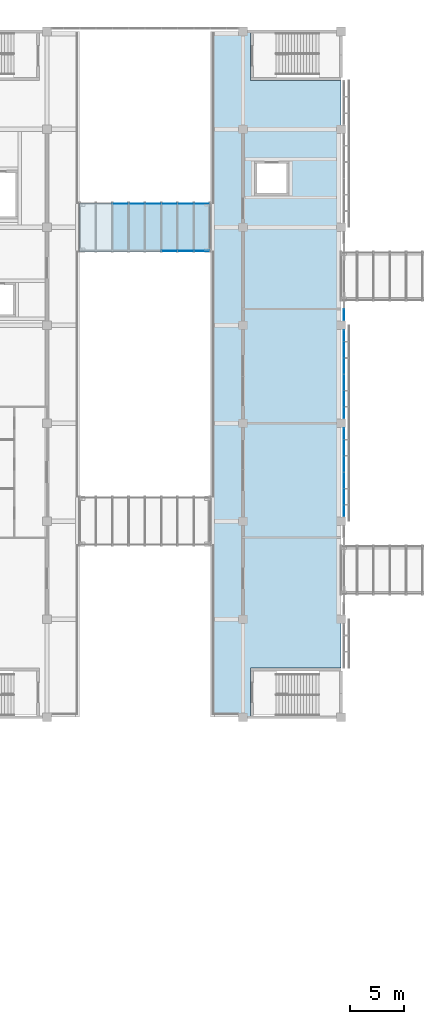
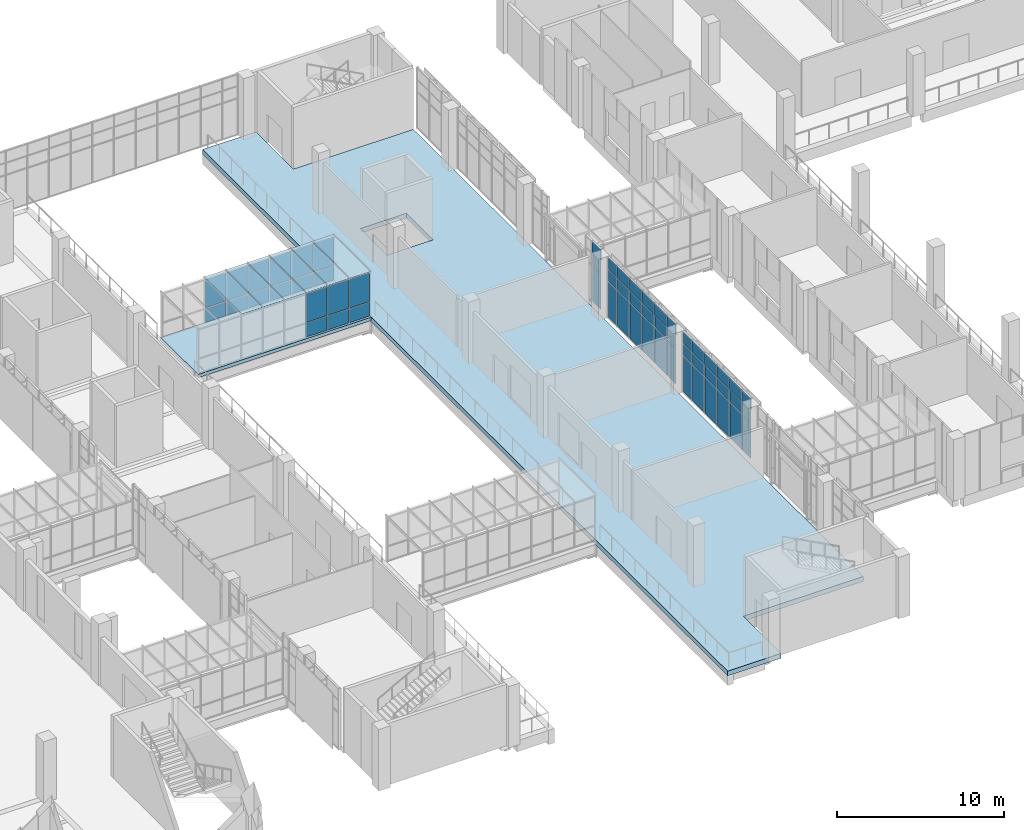
# One storey, part 47 of 88: 63 plates, 2 slabs, 6 elements without a shape of their own.
"""IFC4 building model written with IfcOpenShell, lengths in metres."""

from ifc_helpers import new_model, si_unit, direction, frame, origin, origin_2d, place, context, subcontext, project, spatial, polyline, rectangle, outline, extrude, material, layer, layer_set, type_object, element, aggregate, save


model = new_model("IFC4")

# Units and contexts
model_context = context("Model", 3, precision=1e-05, world=origin(), true_north=direction((0.0, 1.0)))
body_context = subcontext(model_context, "Body", "Model", "MODEL_VIEW")
ifc_project = project(units=[si_unit("LENGTHUNIT", "METRE"), si_unit("AREAUNIT", "SQUARE_METRE"), si_unit("VOLUMEUNIT", "CUBIC_METRE"), si_unit("PLANEANGLEUNIT", "RADIAN"), si_unit("MASSUNIT", "GRAM", prefix="KILO")], contexts=[model_context])

# Site, building, storey
site_placement = place(None, origin())
site = spatial("IfcSite", under=ifc_project, at=site_placement, CompositionType="ELEMENT")
building_placement = place(site_placement, origin())
building = spatial("IfcBuilding", under=site, at=building_placement, Name="Guidao Yard Department Store", CompositionType="ELEMENT")
storey_placement = place(building_placement, frame((0.0, 0.0, 6.0)))
storey = spatial("IfcBuildingStorey", under=building, at=storey_placement, Name="L01", CompositionType="ELEMENT", Elevation=6.0)

# Slab
ifc_material_1 = material(Name="Concrete C35", Category="concrete")
ifc_layer_1 = layer(ifc_material_1, 0.25)
ifc_layer_set_1 = layer_set([ifc_layer_1], Name="Bridge deck slab 250 C35")
slab_type_1 = type_object("IfcSlabType", Name="Bridge deck slab 250 C35", PredefinedType="FLOOR", material=ifc_layer_set_1)
slab_1_placement = place(storey_placement, frame((0.0, 0.0, -0.25)))
element("IfcSlab", 1, at=slab_1_placement, inside=storey, type_object=slab_type_1, Name="Slab BR10", PredefinedType="FLOOR", context=body_context, shape_type="SweptSolid", body=[
    extrude(outline(polyline([(95.985107421875, 87.75), (84.0, 87.75), (84.0, 92.25), (95.985107421875, 92.25), (95.985107421875, 87.75)])), origin(), (0.0, 0.0, 1.0), 0.25),
])

# Curtain wall, plates
ifc_material_2 = material(Name="Aluminium and glass", Category="aluminium")
ifc_layer_2 = layer(ifc_material_2, 0.159912109375)
ifc_layer_set_2 = layer_set([ifc_layer_2], Name="Bridge glazing CW5 1500 module")
curtain_wall_type_1 = type_object("IfcCurtainWallType", Name="Bridge glazing CW5 1500 module", PredefinedType="NOTDEFINED", material=ifc_layer_set_2)
curtain_wall_1_placement = place(storey_placement, origin())
curtain_wall_1 = element("IfcCurtainWall", 2, at=curtain_wall_1_placement, inside=storey, type_object=curtain_wall_type_1, Name="Bridge roof glazing BR10", PredefinedType="NOTDEFINED")
ifc_material_3 = material(Name="Laminated glass", Category="glass")
ifc_layer_3 = layer(ifc_material_3, 0.017578125)
ifc_layer_set_3 = layer_set([ifc_layer_3], Name="Bridge roof glass BG1 laminated 8+8 fritted")
plate_type_1 = type_object("IfcPlateType", Name="Bridge roof glass BG1 laminated 8+8 fritted", PredefinedType="CURTAIN_PANEL", material=ifc_layer_set_3)
plate_1_placement = place(storey_placement, frame((87.75, 90.0, 3.34130859375), z_axis=(0.0, 0.0, 1.0), x_axis=(1.0, 0.0, 0.0)))
plate_1 = element("IfcPlate", 3, at=plate_1_placement, type_object=plate_type_1, Name="Bridge roof glass BR10", PredefinedType="CURTAIN_PANEL", context=body_context, shape_type="SweptSolid", body=[
    extrude(rectangle(XDim=1.43994140625, YDim=4.5, at=origin_2d()), origin(), (0.0, 0.0, 1.0), 0.017578125),
])
plate_2_placement = place(storey_placement, frame((89.25, 90.0, 3.34130859375), z_axis=(0.0, 0.0, 1.0), x_axis=(1.0, 0.0, 0.0)))
plate_2 = element("IfcPlate", 4, at=plate_2_placement, type_object=plate_type_1, Name="Bridge roof glass BR10", PredefinedType="CURTAIN_PANEL", context=body_context, shape_type="SweptSolid", body=[
    extrude(rectangle(XDim=1.43994140625, YDim=4.5, at=origin_2d()), origin(), (0.0, 0.0, 1.0), 0.017578125),
])
plate_3_placement = place(storey_placement, frame((90.75, 90.0, 3.34130859375), z_axis=(0.0, 0.0, 1.0), x_axis=(1.0, 0.0, 0.0)))
plate_3 = element("IfcPlate", 5, at=plate_3_placement, type_object=plate_type_1, Name="Bridge roof glass BR10", PredefinedType="CURTAIN_PANEL", context=body_context, shape_type="SweptSolid", body=[
    extrude(rectangle(XDim=1.43994140625, YDim=4.5, at=origin_2d()), origin(), (0.0, 0.0, 1.0), 0.017578125),
])
plate_4_placement = place(storey_placement, frame((92.25, 90.0, 3.34130859375), z_axis=(0.0, 0.0, 1.0), x_axis=(1.0, 0.0, 0.0)))
plate_4 = element("IfcPlate", 6, at=plate_4_placement, type_object=plate_type_1, Name="Bridge roof glass BR10", PredefinedType="CURTAIN_PANEL", context=body_context, shape_type="SweptSolid", body=[
    extrude(rectangle(XDim=1.43994140625, YDim=4.5, at=origin_2d()), origin(), (0.0, 0.0, 1.0), 0.017578125),
])
plate_5_placement = place(storey_placement, frame((93.75, 90.0, 3.34130859375), z_axis=(0.0, 0.0, 1.0), x_axis=(1.0, 0.0, 0.0)))
plate_5 = element("IfcPlate", 7, at=plate_5_placement, type_object=plate_type_1, Name="Bridge roof glass BR10", PredefinedType="CURTAIN_PANEL", context=body_context, shape_type="SweptSolid", body=[
    extrude(rectangle(XDim=1.43994140625, YDim=4.5, at=origin_2d()), origin(), (0.0, 0.0, 1.0), 0.017578125),
])
plate_6_placement = place(storey_placement, frame((95.242431640625, 90.0, 3.34130859375), z_axis=(0.0, 0.0, 1.0), x_axis=(1.0, 0.0, 0.0)))
plate_6 = element("IfcPlate", 8, at=plate_6_placement, type_object=plate_type_1, Name="Bridge roof glass BR10", PredefinedType="CURTAIN_PANEL", context=body_context, shape_type="SweptSolid", body=[
    extrude(rectangle(XDim=1.425048828125, YDim=4.5, at=origin_2d()), origin(), (0.0, 0.0, 1.0), 0.017578125),
])
aggregate(curtain_wall_1, [plate_1, plate_2, plate_3, plate_4, plate_5, plate_6])

# Slab
ifc_material_4 = material(Name="Concrete C35", Category="concrete")
ifc_layer_4 = layer(ifc_material_4, 0.35009765625)
ifc_layer_set_4 = layer_set([ifc_layer_4], Name="Gallery floor slab 350 C35")
slab_type_2 = type_object("IfcSlabType", Name="Gallery floor slab 350 C35", PredefinedType="FLOOR", material=ifc_layer_set_4)
slab_2_placement = place(storey_placement, frame((0.0, 0.0, -0.35009765625)))
element("IfcSlab", 9, at=slab_2_placement, inside=storey, type_object=slab_type_2, Name="Slab L01-E", PredefinedType="FLOOR", context=body_context, shape_type="SweptSolid", body=[
    extrude(outline(polyline([(99.699951171875, 49.5), (99.699951171875, 45.0), (99.0, 45.0), (96.0, 45.0), (96.0, 60.75), (96.0, 65.25), (96.0, 87.75), (96.0, 92.25), (96.0, 108.0), (99.0, 108.0), (99.699951171875, 108.0), (99.699951171875, 103.5), (108.0, 103.5), (108.0, 49.5), (99.699951171875, 49.5)]), holes=[polyline([(103.25, 92.89990234375), (103.25, 96.10009765625), (100.050048828125, 96.10009765625), (100.050048828125, 92.89990234375), (103.25, 92.89990234375)])]), origin(), (0.0, 0.0, 1.0), 0.35009765625),
])

# Curtain wall, plates
ifc_material_5 = material(Name="Aluminium and glass", Category="aluminium")
ifc_layer_5 = layer(ifc_material_5, 0.159912109375)
ifc_layer_set_5 = layer_set([ifc_layer_5], Name="Shopfront curtain wall CW1 1500 module")
curtain_wall_type_2 = type_object("IfcCurtainWallType", Name="Shopfront curtain wall CW1 1500 module", PredefinedType="NOTDEFINED", material=ifc_layer_set_5)
curtain_wall_2_placement = place(storey_placement, origin())
curtain_wall_2 = element("IfcCurtainWall", 10, at=curtain_wall_2_placement, inside=storey, type_object=curtain_wall_type_2, Name="Arcade shop front", PredefinedType="NOTDEFINED")
ifc_material_6 = material(Name="Aluminium 6063-T5 faced insulated spandrel", Category="aluminium")
ifc_layer_6 = layer(ifc_material_6, 0.06005859375)
ifc_layer_set_6 = layer_set([ifc_layer_6], Name="Spandrel panel SP1 insulated opaque")
plate_type_2 = type_object("IfcPlateType", Name="Spandrel panel SP1 insulated opaque", PredefinedType="CURTAIN_PANEL", material=ifc_layer_set_6)
plate_7_placement = place(storey_placement, frame((108.280029296875, 63.965087890625, 3.6298828125), z_axis=(0.0, 0.0, 1.0), x_axis=(0.0, -1.0, 0.0)))
plate_7 = element("IfcPlate", 11, at=plate_7_placement, type_object=plate_type_2, Name="CW-AS-L01-16 panel 1.3", PredefinedType="CURTAIN_PANEL", context=body_context, shape_type="SweptSolid", body=[
    extrude(rectangle(XDim=1.010009765625, YDim=0.06005859375, at=origin_2d()), origin(), (0.0, 0.0, 1.0), 0.81005859375),
])
plate_8_placement = place(storey_placement, frame((108.280029296875, 65.25, 3.6298828125), z_axis=(0.0, 0.0, 1.0), x_axis=(0.0, -1.0, 0.0)))
plate_8 = element("IfcPlate", 12, at=plate_8_placement, type_object=plate_type_2, Name="CW-AS-L01-16 panel 2.3", PredefinedType="CURTAIN_PANEL", context=body_context, shape_type="SweptSolid", body=[
    extrude(rectangle(XDim=1.43994140625, YDim=0.06005859375, at=origin_2d()), origin(), (0.0, 0.0, 1.0), 0.81005859375),
])
plate_9_placement = place(storey_placement, frame((108.280029296875, 66.75, 3.6298828125), z_axis=(0.0, 0.0, 1.0), x_axis=(0.0, -1.0, 0.0)))
plate_9 = element("IfcPlate", 13, at=plate_9_placement, type_object=plate_type_2, Name="CW-AS-L01-16 panel 3.3", PredefinedType="CURTAIN_PANEL", context=body_context, shape_type="SweptSolid", body=[
    extrude(rectangle(XDim=1.43994140625, YDim=0.06005859375, at=origin_2d()), origin(), (0.0, 0.0, 1.0), 0.81005859375),
])
plate_10_placement = place(storey_placement, frame((108.280029296875, 68.25, 3.6298828125), z_axis=(0.0, 0.0, 1.0), x_axis=(0.0, -1.0, 0.0)))
plate_10 = element("IfcPlate", 14, at=plate_10_placement, type_object=plate_type_2, Name="CW-AS-L01-16 panel 4.3", PredefinedType="CURTAIN_PANEL", context=body_context, shape_type="SweptSolid", body=[
    extrude(rectangle(XDim=1.43994140625, YDim=0.06005859375, at=origin_2d()), origin(), (0.0, 0.0, 1.0), 0.81005859375),
])
plate_11_placement = place(storey_placement, frame((108.280029296875, 69.75, 3.6298828125), z_axis=(0.0, 0.0, 1.0), x_axis=(0.0, -1.0, 0.0)))
plate_11 = element("IfcPlate", 15, at=plate_11_placement, type_object=plate_type_2, Name="CW-AS-L01-16 panel 5.3", PredefinedType="CURTAIN_PANEL", context=body_context, shape_type="SweptSolid", body=[
    extrude(rectangle(XDim=1.43994140625, YDim=0.06005859375, at=origin_2d()), origin(), (0.0, 0.0, 1.0), 0.81005859375),
])
plate_12_placement = place(storey_placement, frame((108.280029296875, 71.034912109375, 3.6298828125), z_axis=(0.0, 0.0, 1.0), x_axis=(0.0, -1.0, 0.0)))
plate_12 = element("IfcPlate", 16, at=plate_12_placement, type_object=plate_type_2, Name="CW-AS-L01-16 panel 6.3", PredefinedType="CURTAIN_PANEL", context=body_context, shape_type="SweptSolid", body=[
    extrude(rectangle(XDim=1.010009765625, YDim=0.06005859375, at=origin_2d()), origin(), (0.0, 0.0, 1.0), 0.81005859375),
])

curtain_wall_3_placement = place(storey_placement, origin())
curtain_wall_3 = element("IfcCurtainWall", 17, at=curtain_wall_3_placement, inside=storey, type_object=curtain_wall_type_2, Name="Arcade shop front", PredefinedType="NOTDEFINED")
plate_13_placement = place(storey_placement, frame((108.280029296875, 72.965087890625, 3.6298828125), z_axis=(0.0, 0.0, 1.0), x_axis=(0.0, -1.0, 0.0)))
plate_13 = element("IfcPlate", 18, at=plate_13_placement, type_object=plate_type_2, Name="CW-AS-L01-17 panel 1.3", PredefinedType="CURTAIN_PANEL", context=body_context, shape_type="SweptSolid", body=[
    extrude(rectangle(XDim=1.010009765625, YDim=0.06005859375, at=origin_2d()), origin(), (0.0, 0.0, 1.0), 0.81005859375),
])
plate_14_placement = place(storey_placement, frame((108.280029296875, 74.25, 3.6298828125), z_axis=(0.0, 0.0, 1.0), x_axis=(0.0, -1.0, 0.0)))
plate_14 = element("IfcPlate", 19, at=plate_14_placement, type_object=plate_type_2, Name="CW-AS-L01-17 panel 2.3", PredefinedType="CURTAIN_PANEL", context=body_context, shape_type="SweptSolid", body=[
    extrude(rectangle(XDim=1.43994140625, YDim=0.06005859375, at=origin_2d()), origin(), (0.0, 0.0, 1.0), 0.81005859375),
])
plate_15_placement = place(storey_placement, frame((108.280029296875, 75.75, 3.6298828125), z_axis=(0.0, 0.0, 1.0), x_axis=(0.0, -1.0, 0.0)))
plate_15 = element("IfcPlate", 20, at=plate_15_placement, type_object=plate_type_2, Name="CW-AS-L01-17 panel 3.3", PredefinedType="CURTAIN_PANEL", context=body_context, shape_type="SweptSolid", body=[
    extrude(rectangle(XDim=1.43994140625, YDim=0.06005859375, at=origin_2d()), origin(), (0.0, 0.0, 1.0), 0.81005859375),
])
plate_16_placement = place(storey_placement, frame((108.280029296875, 77.25, 3.6298828125), z_axis=(0.0, 0.0, 1.0), x_axis=(0.0, -1.0, 0.0)))
plate_16 = element("IfcPlate", 21, at=plate_16_placement, type_object=plate_type_2, Name="CW-AS-L01-17 panel 4.3", PredefinedType="CURTAIN_PANEL", context=body_context, shape_type="SweptSolid", body=[
    extrude(rectangle(XDim=1.43994140625, YDim=0.06005859375, at=origin_2d()), origin(), (0.0, 0.0, 1.0), 0.81005859375),
])
plate_17_placement = place(storey_placement, frame((108.280029296875, 78.75, 3.6298828125), z_axis=(0.0, 0.0, 1.0), x_axis=(0.0, -1.0, 0.0)))
plate_17 = element("IfcPlate", 22, at=plate_17_placement, type_object=plate_type_2, Name="CW-AS-L01-17 panel 5.3", PredefinedType="CURTAIN_PANEL", context=body_context, shape_type="SweptSolid", body=[
    extrude(rectangle(XDim=1.43994140625, YDim=0.06005859375, at=origin_2d()), origin(), (0.0, 0.0, 1.0), 0.81005859375),
])
plate_18_placement = place(storey_placement, frame((108.280029296875, 80.034912109375, 3.6298828125), z_axis=(0.0, 0.0, 1.0), x_axis=(0.0, -1.0, 0.0)))
plate_18 = element("IfcPlate", 23, at=plate_18_placement, type_object=plate_type_2, Name="CW-AS-L01-17 panel 6.3", PredefinedType="CURTAIN_PANEL", context=body_context, shape_type="SweptSolid", body=[
    extrude(rectangle(XDim=1.010009765625, YDim=0.06005859375, at=origin_2d()), origin(), (0.0, 0.0, 1.0), 0.81005859375),
])

# Curtain wall, plate
curtain_wall_4_placement = place(storey_placement, origin())
curtain_wall_4 = element("IfcCurtainWall", 24, at=curtain_wall_4_placement, inside=storey, type_object=curtain_wall_type_2, Name="Arcade shop front", PredefinedType="NOTDEFINED")
plate_19_placement = place(storey_placement, frame((108.280029296875, 81.965087890625, 3.6298828125), z_axis=(0.0, 0.0, 1.0), x_axis=(0.0, -1.0, 0.0)))
plate_19 = element("IfcPlate", 25, at=plate_19_placement, type_object=plate_type_2, Name="CW-AS-L01-18 panel 1.3", PredefinedType="CURTAIN_PANEL", context=body_context, shape_type="SweptSolid", body=[
    extrude(rectangle(XDim=1.010009765625, YDim=0.06005859375, at=origin_2d()), origin(), (0.0, 0.0, 1.0), 0.81005859375),
])

# Plate
ifc_material_7 = material(Name="Laminated heat-soaked tempered glass", Category="glass")
ifc_layer_7 = layer(ifc_material_7, 0.017578125)
ifc_layer_set_7 = layer_set([ifc_layer_7], Name="Vision glass VG1 laminated heat-soaked tempered 8+8")
plate_type_3 = type_object("IfcPlateType", Name="Vision glass VG1 laminated heat-soaked tempered 8+8", PredefinedType="CURTAIN_PANEL", material=ifc_layer_set_7)
plate_20_placement = place(storey_placement, frame((108.280029296875, 63.965087890625, 0.06005859375), z_axis=(0.0, 0.0, 1.0), x_axis=(0.0, -1.0, 0.0)))
plate_20 = element("IfcPlate", 26, at=plate_20_placement, type_object=plate_type_3, Name="CW-AS-L01-16 panel 1.1", PredefinedType="CURTAIN_PANEL", context=body_context, shape_type="SweptSolid", body=[
    extrude(rectangle(XDim=1.010009765625, YDim=0.017578125, at=origin_2d()), origin(), (0.0, 0.0, 1.0), 2.610107421875),
])

plate_21_placement = place(storey_placement, frame((108.280029296875, 63.965087890625, 2.72998046875), z_axis=(0.0, 0.0, 1.0), x_axis=(0.0, -1.0, 0.0)))
plate_21 = element("IfcPlate", 27, at=plate_21_placement, type_object=plate_type_3, Name="CW-AS-L01-16 panel 1.2", PredefinedType="CURTAIN_PANEL", context=body_context, shape_type="SweptSolid", body=[
    extrude(rectangle(XDim=1.010009765625, YDim=0.017578125, at=origin_2d()), origin(), (0.0, 0.0, 1.0), 0.840087890625),
])

plate_22_placement = place(storey_placement, frame((108.280029296875, 65.25, 0.06005859375), z_axis=(0.0, 0.0, 1.0), x_axis=(0.0, -1.0, 0.0)))
plate_22 = element("IfcPlate", 28, at=plate_22_placement, type_object=plate_type_3, Name="CW-AS-L01-16 panel 2.1", PredefinedType="CURTAIN_PANEL", context=body_context, shape_type="SweptSolid", body=[
    extrude(rectangle(XDim=1.43994140625, YDim=0.017578125, at=origin_2d()), origin(), (0.0, 0.0, 1.0), 2.610107421875),
])

plate_23_placement = place(storey_placement, frame((108.280029296875, 65.25, 2.72998046875), z_axis=(0.0, 0.0, 1.0), x_axis=(0.0, -1.0, 0.0)))
plate_23 = element("IfcPlate", 29, at=plate_23_placement, type_object=plate_type_3, Name="CW-AS-L01-16 panel 2.2", PredefinedType="CURTAIN_PANEL", context=body_context, shape_type="SweptSolid", body=[
    extrude(rectangle(XDim=1.43994140625, YDim=0.017578125, at=origin_2d()), origin(), (0.0, 0.0, 1.0), 0.840087890625),
])

plate_24_placement = place(storey_placement, frame((108.280029296875, 66.75, 0.06005859375), z_axis=(0.0, 0.0, 1.0), x_axis=(0.0, -1.0, 0.0)))
plate_24 = element("IfcPlate", 30, at=plate_24_placement, type_object=plate_type_3, Name="CW-AS-L01-16 panel 3.1", PredefinedType="CURTAIN_PANEL", context=body_context, shape_type="SweptSolid", body=[
    extrude(rectangle(XDim=1.43994140625, YDim=0.017578125, at=origin_2d()), origin(), (0.0, 0.0, 1.0), 2.610107421875),
])

plate_25_placement = place(storey_placement, frame((108.280029296875, 66.75, 2.72998046875), z_axis=(0.0, 0.0, 1.0), x_axis=(0.0, -1.0, 0.0)))
plate_25 = element("IfcPlate", 31, at=plate_25_placement, type_object=plate_type_3, Name="CW-AS-L01-16 panel 3.2", PredefinedType="CURTAIN_PANEL", context=body_context, shape_type="SweptSolid", body=[
    extrude(rectangle(XDim=1.43994140625, YDim=0.017578125, at=origin_2d()), origin(), (0.0, 0.0, 1.0), 0.840087890625),
])

plate_26_placement = place(storey_placement, frame((108.280029296875, 68.25, 0.06005859375), z_axis=(0.0, 0.0, 1.0), x_axis=(0.0, -1.0, 0.0)))
plate_26 = element("IfcPlate", 32, at=plate_26_placement, type_object=plate_type_3, Name="CW-AS-L01-16 panel 4.1", PredefinedType="CURTAIN_PANEL", context=body_context, shape_type="SweptSolid", body=[
    extrude(rectangle(XDim=1.43994140625, YDim=0.017578125, at=origin_2d()), origin(), (0.0, 0.0, 1.0), 2.610107421875),
])

plate_27_placement = place(storey_placement, frame((108.280029296875, 68.25, 2.72998046875), z_axis=(0.0, 0.0, 1.0), x_axis=(0.0, -1.0, 0.0)))
plate_27 = element("IfcPlate", 33, at=plate_27_placement, type_object=plate_type_3, Name="CW-AS-L01-16 panel 4.2", PredefinedType="CURTAIN_PANEL", context=body_context, shape_type="SweptSolid", body=[
    extrude(rectangle(XDim=1.43994140625, YDim=0.017578125, at=origin_2d()), origin(), (0.0, 0.0, 1.0), 0.840087890625),
])

plate_28_placement = place(storey_placement, frame((108.280029296875, 69.75, 0.06005859375), z_axis=(0.0, 0.0, 1.0), x_axis=(0.0, -1.0, 0.0)))
plate_28 = element("IfcPlate", 34, at=plate_28_placement, type_object=plate_type_3, Name="CW-AS-L01-16 panel 5.1", PredefinedType="CURTAIN_PANEL", context=body_context, shape_type="SweptSolid", body=[
    extrude(rectangle(XDim=1.43994140625, YDim=0.017578125, at=origin_2d()), origin(), (0.0, 0.0, 1.0), 2.610107421875),
])

plate_29_placement = place(storey_placement, frame((108.280029296875, 69.75, 2.72998046875), z_axis=(0.0, 0.0, 1.0), x_axis=(0.0, -1.0, 0.0)))
plate_29 = element("IfcPlate", 35, at=plate_29_placement, type_object=plate_type_3, Name="CW-AS-L01-16 panel 5.2", PredefinedType="CURTAIN_PANEL", context=body_context, shape_type="SweptSolid", body=[
    extrude(rectangle(XDim=1.43994140625, YDim=0.017578125, at=origin_2d()), origin(), (0.0, 0.0, 1.0), 0.840087890625),
])

plate_30_placement = place(storey_placement, frame((108.280029296875, 71.034912109375, 0.06005859375), z_axis=(0.0, 0.0, 1.0), x_axis=(0.0, -1.0, 0.0)))
plate_30 = element("IfcPlate", 36, at=plate_30_placement, type_object=plate_type_3, Name="CW-AS-L01-16 panel 6.1", PredefinedType="CURTAIN_PANEL", context=body_context, shape_type="SweptSolid", body=[
    extrude(rectangle(XDim=1.010009765625, YDim=0.017578125, at=origin_2d()), origin(), (0.0, 0.0, 1.0), 2.610107421875),
])

plate_31_placement = place(storey_placement, frame((108.280029296875, 71.034912109375, 2.72998046875), z_axis=(0.0, 0.0, 1.0), x_axis=(0.0, -1.0, 0.0)))
plate_31 = element("IfcPlate", 37, at=plate_31_placement, type_object=plate_type_3, Name="CW-AS-L01-16 panel 6.2", PredefinedType="CURTAIN_PANEL", context=body_context, shape_type="SweptSolid", body=[
    extrude(rectangle(XDim=1.010009765625, YDim=0.017578125, at=origin_2d()), origin(), (0.0, 0.0, 1.0), 0.840087890625),
])

aggregate(curtain_wall_2, [plate_20, plate_21, plate_7, plate_22, plate_23, plate_8, plate_24, plate_25, plate_9, plate_26, plate_27, plate_10, plate_28, plate_29, plate_11, plate_30, plate_31, plate_12])

plate_32_placement = place(storey_placement, frame((108.280029296875, 72.965087890625, 0.06005859375), z_axis=(0.0, 0.0, 1.0), x_axis=(0.0, -1.0, 0.0)))
plate_32 = element("IfcPlate", 38, at=plate_32_placement, type_object=plate_type_3, Name="CW-AS-L01-17 panel 1.1", PredefinedType="CURTAIN_PANEL", context=body_context, shape_type="SweptSolid", body=[
    extrude(rectangle(XDim=1.010009765625, YDim=0.017578125, at=origin_2d()), origin(), (0.0, 0.0, 1.0), 2.610107421875),
])

plate_33_placement = place(storey_placement, frame((108.280029296875, 72.965087890625, 2.72998046875), z_axis=(0.0, 0.0, 1.0), x_axis=(0.0, -1.0, 0.0)))
plate_33 = element("IfcPlate", 39, at=plate_33_placement, type_object=plate_type_3, Name="CW-AS-L01-17 panel 1.2", PredefinedType="CURTAIN_PANEL", context=body_context, shape_type="SweptSolid", body=[
    extrude(rectangle(XDim=1.010009765625, YDim=0.017578125, at=origin_2d()), origin(), (0.0, 0.0, 1.0), 0.840087890625),
])

plate_34_placement = place(storey_placement, frame((108.280029296875, 74.25, 0.06005859375), z_axis=(0.0, 0.0, 1.0), x_axis=(0.0, -1.0, 0.0)))
plate_34 = element("IfcPlate", 40, at=plate_34_placement, type_object=plate_type_3, Name="CW-AS-L01-17 panel 2.1", PredefinedType="CURTAIN_PANEL", context=body_context, shape_type="SweptSolid", body=[
    extrude(rectangle(XDim=1.43994140625, YDim=0.017578125, at=origin_2d()), origin(), (0.0, 0.0, 1.0), 2.610107421875),
])

plate_35_placement = place(storey_placement, frame((108.280029296875, 74.25, 2.72998046875), z_axis=(0.0, 0.0, 1.0), x_axis=(0.0, -1.0, 0.0)))
plate_35 = element("IfcPlate", 41, at=plate_35_placement, type_object=plate_type_3, Name="CW-AS-L01-17 panel 2.2", PredefinedType="CURTAIN_PANEL", context=body_context, shape_type="SweptSolid", body=[
    extrude(rectangle(XDim=1.43994140625, YDim=0.017578125, at=origin_2d()), origin(), (0.0, 0.0, 1.0), 0.840087890625),
])

plate_36_placement = place(storey_placement, frame((108.280029296875, 75.75, 0.06005859375), z_axis=(0.0, 0.0, 1.0), x_axis=(0.0, -1.0, 0.0)))
plate_36 = element("IfcPlate", 42, at=plate_36_placement, type_object=plate_type_3, Name="CW-AS-L01-17 panel 3.1", PredefinedType="CURTAIN_PANEL", context=body_context, shape_type="SweptSolid", body=[
    extrude(rectangle(XDim=1.43994140625, YDim=0.017578125, at=origin_2d()), origin(), (0.0, 0.0, 1.0), 2.610107421875),
])

plate_37_placement = place(storey_placement, frame((108.280029296875, 75.75, 2.72998046875), z_axis=(0.0, 0.0, 1.0), x_axis=(0.0, -1.0, 0.0)))
plate_37 = element("IfcPlate", 43, at=plate_37_placement, type_object=plate_type_3, Name="CW-AS-L01-17 panel 3.2", PredefinedType="CURTAIN_PANEL", context=body_context, shape_type="SweptSolid", body=[
    extrude(rectangle(XDim=1.43994140625, YDim=0.017578125, at=origin_2d()), origin(), (0.0, 0.0, 1.0), 0.840087890625),
])

plate_38_placement = place(storey_placement, frame((108.280029296875, 77.25, 0.06005859375), z_axis=(0.0, 0.0, 1.0), x_axis=(0.0, -1.0, 0.0)))
plate_38 = element("IfcPlate", 44, at=plate_38_placement, type_object=plate_type_3, Name="CW-AS-L01-17 panel 4.1", PredefinedType="CURTAIN_PANEL", context=body_context, shape_type="SweptSolid", body=[
    extrude(rectangle(XDim=1.43994140625, YDim=0.017578125, at=origin_2d()), origin(), (0.0, 0.0, 1.0), 2.610107421875),
])

plate_39_placement = place(storey_placement, frame((108.280029296875, 77.25, 2.72998046875), z_axis=(0.0, 0.0, 1.0), x_axis=(0.0, -1.0, 0.0)))
plate_39 = element("IfcPlate", 45, at=plate_39_placement, type_object=plate_type_3, Name="CW-AS-L01-17 panel 4.2", PredefinedType="CURTAIN_PANEL", context=body_context, shape_type="SweptSolid", body=[
    extrude(rectangle(XDim=1.43994140625, YDim=0.017578125, at=origin_2d()), origin(), (0.0, 0.0, 1.0), 0.840087890625),
])

plate_40_placement = place(storey_placement, frame((108.280029296875, 78.75, 0.06005859375), z_axis=(0.0, 0.0, 1.0), x_axis=(0.0, -1.0, 0.0)))
plate_40 = element("IfcPlate", 46, at=plate_40_placement, type_object=plate_type_3, Name="CW-AS-L01-17 panel 5.1", PredefinedType="CURTAIN_PANEL", context=body_context, shape_type="SweptSolid", body=[
    extrude(rectangle(XDim=1.43994140625, YDim=0.017578125, at=origin_2d()), origin(), (0.0, 0.0, 1.0), 2.610107421875),
])

plate_41_placement = place(storey_placement, frame((108.280029296875, 78.75, 2.72998046875), z_axis=(0.0, 0.0, 1.0), x_axis=(0.0, -1.0, 0.0)))
plate_41 = element("IfcPlate", 47, at=plate_41_placement, type_object=plate_type_3, Name="CW-AS-L01-17 panel 5.2", PredefinedType="CURTAIN_PANEL", context=body_context, shape_type="SweptSolid", body=[
    extrude(rectangle(XDim=1.43994140625, YDim=0.017578125, at=origin_2d()), origin(), (0.0, 0.0, 1.0), 0.840087890625),
])

plate_42_placement = place(storey_placement, frame((108.280029296875, 80.034912109375, 0.06005859375), z_axis=(0.0, 0.0, 1.0), x_axis=(0.0, -1.0, 0.0)))
plate_42 = element("IfcPlate", 48, at=plate_42_placement, type_object=plate_type_3, Name="CW-AS-L01-17 panel 6.1", PredefinedType="CURTAIN_PANEL", context=body_context, shape_type="SweptSolid", body=[
    extrude(rectangle(XDim=1.010009765625, YDim=0.017578125, at=origin_2d()), origin(), (0.0, 0.0, 1.0), 2.610107421875),
])

plate_43_placement = place(storey_placement, frame((108.280029296875, 80.034912109375, 2.72998046875), z_axis=(0.0, 0.0, 1.0), x_axis=(0.0, -1.0, 0.0)))
plate_43 = element("IfcPlate", 49, at=plate_43_placement, type_object=plate_type_3, Name="CW-AS-L01-17 panel 6.2", PredefinedType="CURTAIN_PANEL", context=body_context, shape_type="SweptSolid", body=[
    extrude(rectangle(XDim=1.010009765625, YDim=0.017578125, at=origin_2d()), origin(), (0.0, 0.0, 1.0), 0.840087890625),
])

aggregate(curtain_wall_3, [plate_32, plate_33, plate_13, plate_34, plate_35, plate_14, plate_36, plate_37, plate_15, plate_38, plate_39, plate_16, plate_40, plate_41, plate_17, plate_42, plate_43, plate_18])

plate_44_placement = place(storey_placement, frame((108.280029296875, 81.965087890625, 0.06005859375), z_axis=(0.0, 0.0, 1.0), x_axis=(0.0, -1.0, 0.0)))
plate_44 = element("IfcPlate", 50, at=plate_44_placement, type_object=plate_type_3, Name="CW-AS-L01-18 panel 1.1", PredefinedType="CURTAIN_PANEL", context=body_context, shape_type="SweptSolid", body=[
    extrude(rectangle(XDim=1.010009765625, YDim=0.017578125, at=origin_2d()), origin(), (0.0, 0.0, 1.0), 2.610107421875),
])

plate_45_placement = place(storey_placement, frame((108.280029296875, 81.965087890625, 2.72998046875), z_axis=(0.0, 0.0, 1.0), x_axis=(0.0, -1.0, 0.0)))
plate_45 = element("IfcPlate", 51, at=plate_45_placement, type_object=plate_type_3, Name="CW-AS-L01-18 panel 1.2", PredefinedType="CURTAIN_PANEL", context=body_context, shape_type="SweptSolid", body=[
    extrude(rectangle(XDim=1.010009765625, YDim=0.017578125, at=origin_2d()), origin(), (0.0, 0.0, 1.0), 0.840087890625),
])

aggregate(curtain_wall_4, [plate_44, plate_45, plate_19])

# Curtain wall, plates
curtain_wall_5_placement = place(storey_placement, origin())
curtain_wall_5 = element("IfcCurtainWall", 52, at=curtain_wall_5_placement, inside=storey, type_object=curtain_wall_type_1, Name="Bridge glazing BR10 S", PredefinedType="NOTDEFINED")
plate_46_placement = place(storey_placement, frame((92.25, 87.830078125, 0.06005859375), z_axis=(0.0, 0.0, 1.0), x_axis=(-1.0, 0.0, 0.0)))
plate_46 = element("IfcPlate", 53, at=plate_46_placement, type_object=plate_type_3, Name="CW-S-L01-11 panel 6.1", PredefinedType="CURTAIN_PANEL", context=body_context, shape_type="SweptSolid", body=[
    extrude(rectangle(XDim=1.43994140625, YDim=0.017578125, at=origin_2d()), origin(), (0.0, 0.0, 1.0), 1.010009765625),
])
plate_47_placement = place(storey_placement, frame((92.25, 87.830078125, 1.1298828125), z_axis=(0.0, 0.0, 1.0), x_axis=(-1.0, 0.0, 0.0)))
plate_47 = element("IfcPlate", 54, at=plate_47_placement, type_object=plate_type_3, Name="CW-S-L01-11 panel 6.2", PredefinedType="CURTAIN_PANEL", context=body_context, shape_type="SweptSolid", body=[
    extrude(rectangle(XDim=1.43994140625, YDim=0.017578125, at=origin_2d()), origin(), (0.0, 0.0, 1.0), 2.080078125),
])
plate_48_placement = place(storey_placement, frame((93.75, 87.830078125, 0.06005859375), z_axis=(0.0, 0.0, 1.0), x_axis=(-1.0, 0.0, 0.0)))
plate_48 = element("IfcPlate", 55, at=plate_48_placement, type_object=plate_type_3, Name="CW-S-L01-11 panel 7.1", PredefinedType="CURTAIN_PANEL", context=body_context, shape_type="SweptSolid", body=[
    extrude(rectangle(XDim=1.43994140625, YDim=0.017578125, at=origin_2d()), origin(), (0.0, 0.0, 1.0), 1.010009765625),
])
plate_49_placement = place(storey_placement, frame((93.75, 87.830078125, 1.1298828125), z_axis=(0.0, 0.0, 1.0), x_axis=(-1.0, 0.0, 0.0)))
plate_49 = element("IfcPlate", 56, at=plate_49_placement, type_object=plate_type_3, Name="CW-S-L01-11 panel 7.2", PredefinedType="CURTAIN_PANEL", context=body_context, shape_type="SweptSolid", body=[
    extrude(rectangle(XDim=1.43994140625, YDim=0.017578125, at=origin_2d()), origin(), (0.0, 0.0, 1.0), 2.080078125),
])
plate_50_placement = place(storey_placement, frame((95.2275390625, 87.830078125, 0.06005859375), z_axis=(0.0, 0.0, 1.0), x_axis=(-1.0, 0.0, 0.0)))
plate_50 = element("IfcPlate", 57, at=plate_50_placement, type_object=plate_type_3, Name="CW-S-L01-11 panel 8.1", PredefinedType="CURTAIN_PANEL", context=body_context, shape_type="SweptSolid", body=[
    extrude(rectangle(XDim=1.39501953125, YDim=0.017578125, at=origin_2d()), origin(), (0.0, 0.0, 1.0), 1.010009765625),
])
plate_51_placement = place(storey_placement, frame((95.2275390625, 87.830078125, 1.1298828125), z_axis=(0.0, 0.0, 1.0), x_axis=(-1.0, 0.0, 0.0)))
plate_51 = element("IfcPlate", 58, at=plate_51_placement, type_object=plate_type_3, Name="CW-S-L01-11 panel 8.2", PredefinedType="CURTAIN_PANEL", context=body_context, shape_type="SweptSolid", body=[
    extrude(rectangle(XDim=1.39501953125, YDim=0.017578125, at=origin_2d()), origin(), (0.0, 0.0, 1.0), 2.080078125),
])
aggregate(curtain_wall_5, [plate_46, plate_47, plate_48, plate_49, plate_50, plate_51])

curtain_wall_6_placement = place(storey_placement, origin())
curtain_wall_6 = element("IfcCurtainWall", 59, at=curtain_wall_6_placement, inside=storey, type_object=curtain_wall_type_1, Name="Bridge glazing BR10 N", PredefinedType="NOTDEFINED")
plate_52_placement = place(storey_placement, frame((87.75, 92.169921875, 0.06005859375), z_axis=(0.0, 0.0, 1.0), x_axis=(1.0, 0.0, 0.0)))
plate_52 = element("IfcPlate", 60, at=plate_52_placement, type_object=plate_type_3, Name="CW-N-L01-12 panel 3.1", PredefinedType="CURTAIN_PANEL", context=body_context, shape_type="SweptSolid", body=[
    extrude(rectangle(XDim=1.43994140625, YDim=0.017578125, at=origin_2d()), origin(), (0.0, 0.0, 1.0), 1.010009765625),
])
plate_53_placement = place(storey_placement, frame((87.75, 92.169921875, 1.1298828125), z_axis=(0.0, 0.0, 1.0), x_axis=(1.0, 0.0, 0.0)))
plate_53 = element("IfcPlate", 61, at=plate_53_placement, type_object=plate_type_3, Name="CW-N-L01-12 panel 3.2", PredefinedType="CURTAIN_PANEL", context=body_context, shape_type="SweptSolid", body=[
    extrude(rectangle(XDim=1.43994140625, YDim=0.017578125, at=origin_2d()), origin(), (0.0, 0.0, 1.0), 2.080078125),
])
plate_54_placement = place(storey_placement, frame((89.25, 92.169921875, 0.06005859375), z_axis=(0.0, 0.0, 1.0), x_axis=(1.0, 0.0, 0.0)))
plate_54 = element("IfcPlate", 62, at=plate_54_placement, type_object=plate_type_3, Name="CW-N-L01-12 panel 4.1", PredefinedType="CURTAIN_PANEL", context=body_context, shape_type="SweptSolid", body=[
    extrude(rectangle(XDim=1.43994140625, YDim=0.017578125, at=origin_2d()), origin(), (0.0, 0.0, 1.0), 1.010009765625),
])
plate_55_placement = place(storey_placement, frame((89.25, 92.169921875, 1.1298828125), z_axis=(0.0, 0.0, 1.0), x_axis=(1.0, 0.0, 0.0)))
plate_55 = element("IfcPlate", 63, at=plate_55_placement, type_object=plate_type_3, Name="CW-N-L01-12 panel 4.2", PredefinedType="CURTAIN_PANEL", context=body_context, shape_type="SweptSolid", body=[
    extrude(rectangle(XDim=1.43994140625, YDim=0.017578125, at=origin_2d()), origin(), (0.0, 0.0, 1.0), 2.080078125),
])
plate_56_placement = place(storey_placement, frame((90.75, 92.169921875, 0.06005859375), z_axis=(0.0, 0.0, 1.0), x_axis=(1.0, 0.0, 0.0)))
plate_56 = element("IfcPlate", 64, at=plate_56_placement, type_object=plate_type_3, Name="CW-N-L01-12 panel 5.1", PredefinedType="CURTAIN_PANEL", context=body_context, shape_type="SweptSolid", body=[
    extrude(rectangle(XDim=1.43994140625, YDim=0.017578125, at=origin_2d()), origin(), (0.0, 0.0, 1.0), 1.010009765625),
])
plate_57_placement = place(storey_placement, frame((90.75, 92.169921875, 1.1298828125), z_axis=(0.0, 0.0, 1.0), x_axis=(1.0, 0.0, 0.0)))
plate_57 = element("IfcPlate", 65, at=plate_57_placement, type_object=plate_type_3, Name="CW-N-L01-12 panel 5.2", PredefinedType="CURTAIN_PANEL", context=body_context, shape_type="SweptSolid", body=[
    extrude(rectangle(XDim=1.43994140625, YDim=0.017578125, at=origin_2d()), origin(), (0.0, 0.0, 1.0), 2.080078125),
])
plate_58_placement = place(storey_placement, frame((92.25, 92.169921875, 0.06005859375), z_axis=(0.0, 0.0, 1.0), x_axis=(1.0, 0.0, 0.0)))
plate_58 = element("IfcPlate", 66, at=plate_58_placement, type_object=plate_type_3, Name="CW-N-L01-12 panel 6.1", PredefinedType="CURTAIN_PANEL", context=body_context, shape_type="SweptSolid", body=[
    extrude(rectangle(XDim=1.43994140625, YDim=0.017578125, at=origin_2d()), origin(), (0.0, 0.0, 1.0), 1.010009765625),
])
plate_59_placement = place(storey_placement, frame((92.25, 92.169921875, 1.1298828125), z_axis=(0.0, 0.0, 1.0), x_axis=(1.0, 0.0, 0.0)))
plate_59 = element("IfcPlate", 67, at=plate_59_placement, type_object=plate_type_3, Name="CW-N-L01-12 panel 6.2", PredefinedType="CURTAIN_PANEL", context=body_context, shape_type="SweptSolid", body=[
    extrude(rectangle(XDim=1.43994140625, YDim=0.017578125, at=origin_2d()), origin(), (0.0, 0.0, 1.0), 2.080078125),
])
plate_60_placement = place(storey_placement, frame((93.75, 92.169921875, 0.06005859375), z_axis=(0.0, 0.0, 1.0), x_axis=(1.0, 0.0, 0.0)))
plate_60 = element("IfcPlate", 68, at=plate_60_placement, type_object=plate_type_3, Name="CW-N-L01-12 panel 7.1", PredefinedType="CURTAIN_PANEL", context=body_context, shape_type="SweptSolid", body=[
    extrude(rectangle(XDim=1.43994140625, YDim=0.017578125, at=origin_2d()), origin(), (0.0, 0.0, 1.0), 1.010009765625),
])
plate_61_placement = place(storey_placement, frame((93.75, 92.169921875, 1.1298828125), z_axis=(0.0, 0.0, 1.0), x_axis=(1.0, 0.0, 0.0)))
plate_61 = element("IfcPlate", 69, at=plate_61_placement, type_object=plate_type_3, Name="CW-N-L01-12 panel 7.2", PredefinedType="CURTAIN_PANEL", context=body_context, shape_type="SweptSolid", body=[
    extrude(rectangle(XDim=1.43994140625, YDim=0.017578125, at=origin_2d()), origin(), (0.0, 0.0, 1.0), 2.080078125),
])
plate_62_placement = place(storey_placement, frame((95.2275390625, 92.169921875, 0.06005859375), z_axis=(0.0, 0.0, 1.0), x_axis=(1.0, 0.0, 0.0)))
plate_62 = element("IfcPlate", 70, at=plate_62_placement, type_object=plate_type_3, Name="CW-N-L01-12 panel 8.1", PredefinedType="CURTAIN_PANEL", context=body_context, shape_type="SweptSolid", body=[
    extrude(rectangle(XDim=1.39501953125, YDim=0.017578125, at=origin_2d()), origin(), (0.0, 0.0, 1.0), 1.010009765625),
])
plate_63_placement = place(storey_placement, frame((95.2275390625, 92.169921875, 1.1298828125), z_axis=(0.0, 0.0, 1.0), x_axis=(1.0, 0.0, 0.0)))
plate_63 = element("IfcPlate", 71, at=plate_63_placement, type_object=plate_type_3, Name="CW-N-L01-12 panel 8.2", PredefinedType="CURTAIN_PANEL", context=body_context, shape_type="SweptSolid", body=[
    extrude(rectangle(XDim=1.39501953125, YDim=0.017578125, at=origin_2d()), origin(), (0.0, 0.0, 1.0), 2.080078125),
])
aggregate(curtain_wall_6, [plate_52, plate_53, plate_54, plate_55, plate_56, plate_57, plate_58, plate_59, plate_60, plate_61, plate_62, plate_63])

save(model, "model.ifc")
